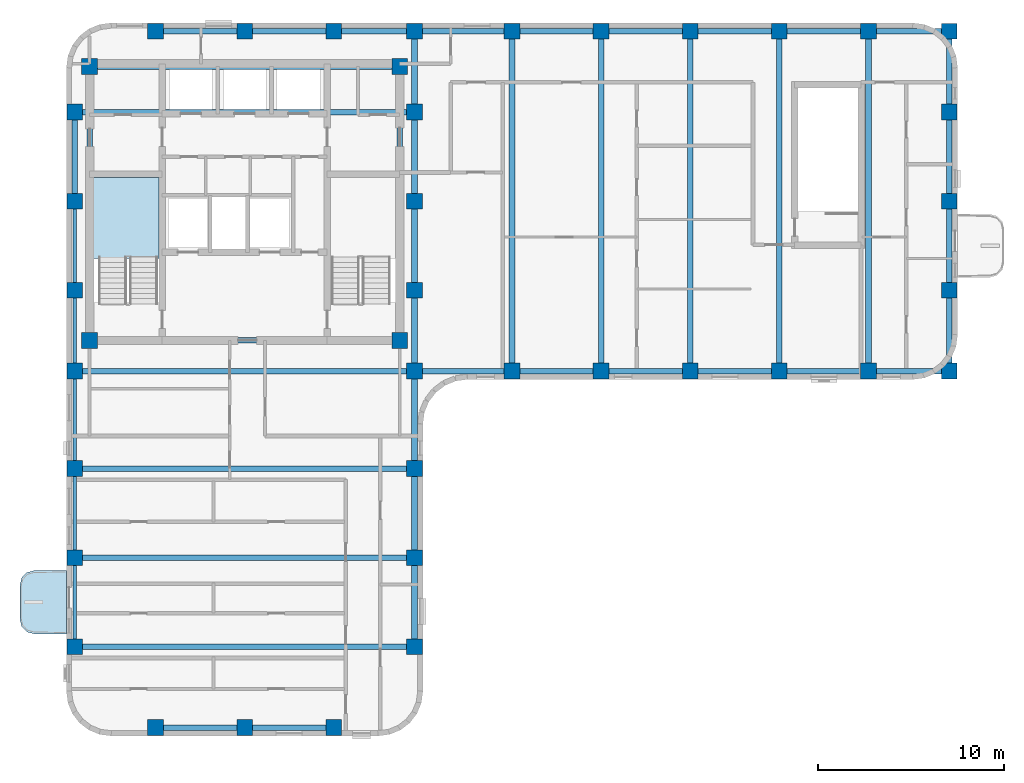
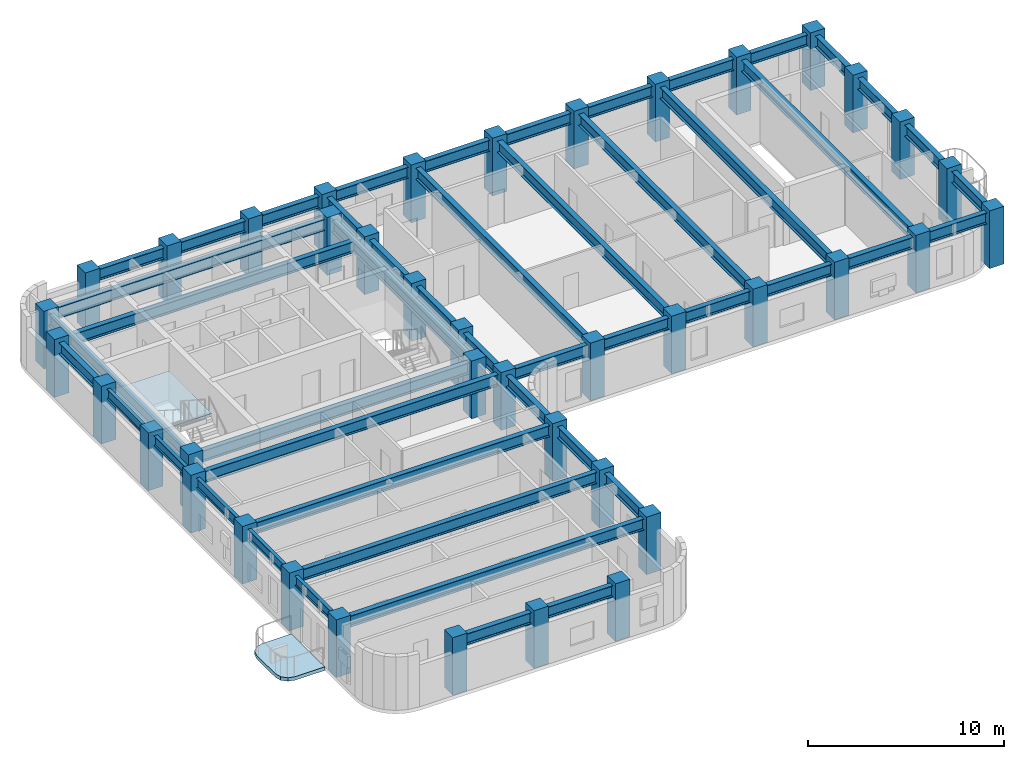
# One storey, part 1 of 8: 48 beams, 40 columns, 2 slabs, 1 element without a shape of its own.
"""IFC4 building model written with IfcOpenShell, lengths in metres."""

from ifc_helpers import new_model, si_unit, direction, frame, origin, origin_2d, place, context, subcontext, project, spatial, polyline, rectangle, i_section, outline, extrude, material, layer, layer_set, material_profile, profile_set, type_object, element, aggregate, save


model = new_model("IFC4")

# Units and contexts
model_context = context("Model", 3, precision=1e-05, world=origin(), true_north=direction((0.0, 1.0)))
body_context = subcontext(model_context, "Body", "Model", "MODEL_VIEW")
ifc_project = project(units=[si_unit("LENGTHUNIT", "METRE"), si_unit("AREAUNIT", "SQUARE_METRE"), si_unit("VOLUMEUNIT", "CUBIC_METRE"), si_unit("PLANEANGLEUNIT", "RADIAN"), si_unit("MASSUNIT", "GRAM", prefix="KILO")], contexts=[model_context])

# Site, building, storey
site_placement = place(None, origin())
site = spatial("IfcSite", under=ifc_project, at=site_placement, CompositionType="ELEMENT")
building_placement = place(site_placement, origin())
building = spatial("IfcBuilding", under=site, at=building_placement, Name="Orvandelia Arch Residences", CompositionType="ELEMENT")
storey_placement = place(building_placement, frame((0.0, 0.0, 236.199951171875)))
storey = spatial("IfcBuildingStorey", under=building, at=storey_placement, Name="L62", CompositionType="ELEMENT", Elevation=236.199951171875)

# Columns
ifc_material_1 = material(Name="Concrete C60/75", Category="concrete")
ifc_material_profile_1 = material_profile(ifc_material_1, rectangle(XDim=0.85009765625, YDim=0.85009765625, at=origin_2d()), Name="Concrete C60/75", Category="concrete")
ifc_profile_set_1 = profile_set([ifc_material_profile_1], Name="Concrete C60/75")
column_type = type_object("IfcColumnType", Name="COL-TWR-850", PredefinedType="COLUMN", material=ifc_profile_set_1)
for number, where, z_axis, x_axis, name in (
    (1, (5.25, 14.39990234375, 0.0), (0.0, 0.0, 1.0), (1.0, 0.0, 0.0), "Structural Column L62-W-W-144"),
    (2, (5.25, 19.199951171875, 0.0), (0.0, 0.0, 1.0), (1.0, 0.0, 0.0), "Structural Column L62-W-W-192"),
    (3, (5.25, 24.0, 0.0), (0.0, 0.0, 1.0), (1.0, 0.0, 0.0), "Structural Column L62-W-W-240"),
    (4, (5.25, 29.25, 0.0), (0.0, 0.0, 1.0), (1.0, 0.0, 0.0), "Structural Column L62-W-W-292"),
    (5, (5.25, 33.60009765625, 0.0), (0.0, 0.0, 1.0), (1.0, 0.0, 0.0), "Structural Column L62-W-W-336"),
    (6, (5.25, 38.39990234375, 0.0), (0.0, 0.0, 1.0), (1.0, 0.0, 0.0), "Structural Column L62-W-W-384"),
    (7, (5.25, 43.199951171875, 0.0), (0.0, 0.0, 1.0), (1.0, 0.0, 0.0), "Structural Column L62-W-W-432"),
    (8, (6.050048828125, 30.89990234375, 0.0), (0.0, 0.0, 1.0), (1.0, 0.0, 0.0), "Structural Column L62-CR-SW"),
    (9, (6.050048828125, 45.64990234375, 0.0), (0.0, 0.0, 1.0), (1.0, 0.0, 0.0), "Structural Column L62-CR-NW"),
    (10, (9.60009765625, 10.050048828125, 0.0), (0.0, 0.0, 1.0), (1.0, 0.0, 0.0), "Structural Column L62-W-S-96"),
    (11, (9.60009765625, 47.550048828125, 0.0), (0.0, 0.0, 1.0), (1.0, 0.0, 0.0), "Structural Column L62-W-N-96"),
    (12, (14.39990234375, 10.050048828125, 0.0), (0.0, 0.0, 1.0), (1.0, 0.0, 0.0), "Structural Column L62-W-S-144"),
    (13, (14.39990234375, 47.550048828125, 0.0), (0.0, 0.0, 1.0), (1.0, 0.0, 0.0), "Structural Column L62-W-N-144"),
    (14, (19.199951171875, 10.050048828125, 0.0), (0.0, 0.0, 1.0), (1.0, 0.0, 0.0), "Structural Column L62-W-S-192"),
    (15, (19.199951171875, 47.550048828125, 0.0), (0.0, 0.0, 1.0), (1.0, 0.0, 0.0), "Structural Column L62-W-N-192"),
    (16, (22.75, 30.89990234375, 0.0), (0.0, 0.0, 1.0), (1.0, 0.0, 0.0), "Structural Column L62-CR-SE"),
    (17, (22.75, 45.64990234375, 0.0), (0.0, 0.0, 1.0), (1.0, 0.0, 0.0), "Structural Column L62-CR-NE"),
    (18, (23.550048828125, 14.39990234375, 0.0), (0.0, 0.0, 1.0), (1.0, 0.0, 0.0), "Structural Column L62-W-E-144"),
    (19, (23.550048828125, 19.199951171875, 0.0), (0.0, 0.0, 1.0), (1.0, 0.0, 0.0), "Structural Column L62-W-E-192"),
    (20, (23.550048828125, 24.0, 0.0), (0.0, 0.0, 1.0), (1.0, 0.0, 0.0), "Structural Column L62-W-E-240"),
    (21, (23.550048828125, 29.25, 0.0), (0.0, 0.0, 1.0), (1.0, 0.0, 0.0), "Structural Column L62-W-E-292"),
    (22, (23.550048828125, 33.60009765625, 0.0), (0.0, 0.0, 1.0), (1.0, 0.0, 0.0), "Structural Column L62-W-E-336"),
    (23, (23.550048828125, 38.39990234375, 0.0), (0.0, 0.0, 1.0), (1.0, 0.0, 0.0), "Structural Column L62-W-E-384"),
    (24, (23.550048828125, 43.199951171875, 0.0), (0.0, 0.0, 1.0), (1.0, 0.0, 0.0), "Structural Column L62-W-E-432"),
    (25, (23.550048828125, 47.550048828125, 0.0), (0.0, 0.0, 1.0), (1.0, 0.0, 0.0), "Structural Column L62-W-N-235"),
    (26, (28.800048828125, 29.25, 0.0), (0.0, 0.0, 1.0), (1.0, 0.0, 0.0), "Structural Column L62-E-S-288"),
    (27, (28.800048828125, 47.550048828125, 0.0), (0.0, 0.0, 1.0), (1.0, 0.0, 0.0), "Structural Column L62-E-N-288"),
    (28, (33.60009765625, 29.25, 0.0), (0.0, 0.0, 1.0), (1.0, 0.0, 0.0), "Structural Column L62-E-S-336"),
    (29, (33.60009765625, 47.550048828125, 0.0), (0.0, 0.0, 1.0), (1.0, 0.0, 0.0), "Structural Column L62-E-N-336"),
    (30, (38.39990234375, 29.25, 0.0), (0.0, 0.0, 1.0), (1.0, 0.0, 0.0), "Structural Column L62-E-S-384"),
    (31, (38.39990234375, 47.550048828125, 0.0), (0.0, 0.0, 1.0), (1.0, 0.0, 0.0), "Structural Column L62-E-N-384"),
    (32, (43.199951171875, 29.25, 0.0), (0.0, 0.0, 1.0), (1.0, 0.0, 0.0), "Structural Column L62-E-S-432"),
    (33, (43.199951171875, 47.550048828125, 0.0), (0.0, 0.0, 1.0), (1.0, 0.0, 0.0), "Structural Column L62-E-N-432"),
    (34, (48.0, 29.25, 0.0), (0.0, 0.0, 1.0), (1.0, 0.0, 0.0), "Structural Column L62-E-S-480"),
    (35, (48.0, 47.550048828125, 0.0), (0.0, 0.0, 1.0), (1.0, 0.0, 0.0), "Structural Column L62-E-N-480"),
    (36, (52.35009765625, 29.25, 0.0), (0.0, 0.0, 1.0), (1.0, 0.0, 0.0), "Structural Column L62-E-S-523"),
    (37, (52.35009765625, 33.60009765625, 0.0), (0.0, 0.0, 1.0), (1.0, 0.0, 0.0), "Structural Column L62-E-523-336"),
    (38, (52.35009765625, 38.39990234375, 0.0), (0.0, 0.0, 1.0), (1.0, 0.0, 0.0), "Structural Column L62-E-523-384"),
    (39, (52.35009765625, 43.199951171875, 0.0), (0.0, 0.0, 1.0), (1.0, 0.0, 0.0), "Structural Column L62-E-523-432"),
    (40, (52.35009765625, 47.550048828125, 0.0), (0.0, 0.0, 1.0), (1.0, 0.0, 0.0), "Structural Column L62-E-N-523"),
):
    element("IfcColumn", number, at=place(storey_placement, frame(where, z_axis=z_axis, x_axis=x_axis)), inside=storey, type_object=column_type, Name=name, PredefinedType="COLUMN", context=body_context, shape_type="SweptSolid", body=[
        extrude(rectangle(XDim=0.85009765625, YDim=0.85009765625, at=origin_2d()), origin(), (0.0, 0.0, 1.0), 3.60009765625),
    ])

# Beams
ifc_material_2 = material(Name="Structural Steel SM355 (355 MPa)", Category="steel")
ifc_material_profile_2 = material_profile(ifc_material_2, i_section(OverallWidth=0.300048828125, OverallDepth=0.699951171875, WebThickness=0.012939453125, FlangeThickness=0.02392578125, FilletRadius=0.02392578125, at=origin_2d()), Name="Structural Steel SM355 (355 MPa)", Category="steel")
ifc_profile_set_2 = profile_set([ifc_material_profile_2], Name="Structural Steel SM355 (355 MPa)")
beam_type_1 = type_object("IfcBeamType", Name="BM-GRD-H700", PredefinedType="BEAM", material=ifc_profile_set_2)
beam_1_placement = place(storey_placement, frame((5.25, 38.39990234375, 2.969970703125), z_axis=(0.0, 1.0, 0.0), x_axis=(-1.0, 0.0, 0.0)))
element("IfcBeam", 41, at=beam_1_placement, inside=storey, type_object=beam_type_1, Name="Structural Frame Beam L62-NS-006", PredefinedType="BEAM", context=body_context, shape_type="SweptSolid", body=[
    extrude(i_section(OverallWidth=0.300048828125, OverallDepth=0.699951171875, WebThickness=0.012939453125, FlangeThickness=0.02392578125, FilletRadius=0.02392578125, at=origin_2d()), origin(), (0.0, 0.0, 1.0), 4.800048828125),
])
for number, where, z_axis, x_axis, name in (
    (42, (6.050048828125, 30.89990234375, 2.969970703125), (0.0, 1.0, 0.0), (-1.0, 0.0, 0.0), "Structural Frame Beam L62-NS-007"),
    (43, (22.75, 30.89990234375, 2.969970703125), (0.0, 1.0, 0.0), (-1.0, 0.0, 0.0), "Structural Frame Beam L62-NS-008"),
):
    element("IfcBeam", number, at=place(storey_placement, frame(where, z_axis=z_axis, x_axis=x_axis)), inside=storey, type_object=beam_type_1, Name=name, PredefinedType="BEAM", context=body_context, shape_type="SweptSolid", body=[
        extrude(i_section(OverallWidth=0.300048828125, OverallDepth=0.699951171875, WebThickness=0.012939453125, FlangeThickness=0.02392578125, FilletRadius=0.02392578125, at=origin_2d()), origin(), (0.0, 0.0, 1.0), 14.75),
    ])
for number, where, z_axis, x_axis, name in (
    (44, (23.550048828125, 14.39990234375, 2.969970703125), (0.0, 1.0, 0.0), (-1.0, 0.0, 0.0), "Structural Frame Beam L62-NS-009"),
    (45, (23.550048828125, 19.199951171875, 2.969970703125), (0.0, 1.0, 0.0), (-1.0, 0.0, 0.0), "Structural Frame Beam L62-NS-010"),
):
    element("IfcBeam", number, at=place(storey_placement, frame(where, z_axis=z_axis, x_axis=x_axis)), inside=storey, type_object=beam_type_1, Name=name, PredefinedType="BEAM", context=body_context, shape_type="SweptSolid", body=[
        extrude(i_section(OverallWidth=0.300048828125, OverallDepth=0.699951171875, WebThickness=0.012939453125, FlangeThickness=0.02392578125, FilletRadius=0.02392578125, at=origin_2d()), origin(), (0.0, 0.0, 1.0), 4.800048828125),
    ])
beam_2_placement = place(storey_placement, frame((23.550048828125, 24.0, 2.969970703125), z_axis=(0.0, 1.0, 0.0), x_axis=(-1.0, 0.0, 0.0)))
element("IfcBeam", 46, at=beam_2_placement, inside=storey, type_object=beam_type_1, Name="Structural Frame Beam L62-NS-011", PredefinedType="BEAM", context=body_context, shape_type="SweptSolid", body=[
    extrude(i_section(OverallWidth=0.300048828125, OverallDepth=0.699951171875, WebThickness=0.012939453125, FlangeThickness=0.02392578125, FilletRadius=0.02392578125, at=origin_2d()), origin(), (0.0, 0.0, 1.0), 5.25),
])
beam_3_placement = place(storey_placement, frame((23.550048828125, 29.25, 2.969970703125), z_axis=(0.0, 1.0, 0.0), x_axis=(-1.0, 0.0, 0.0)))
element("IfcBeam", 47, at=beam_3_placement, inside=storey, type_object=beam_type_1, Name="Structural Frame Beam L62-NS-012", PredefinedType="BEAM", context=body_context, shape_type="SweptSolid", body=[
    extrude(i_section(OverallWidth=0.300048828125, OverallDepth=0.699951171875, WebThickness=0.012939453125, FlangeThickness=0.02392578125, FilletRadius=0.02392578125, at=origin_2d()), origin(), (0.0, 0.0, 1.0), 4.35009765625),
])
beam_4_placement = place(storey_placement, frame((23.550048828125, 33.60009765625, 2.969970703125), z_axis=(0.0, 1.0, 0.0), x_axis=(-1.0, 0.0, 0.0)))
element("IfcBeam", 48, at=beam_4_placement, inside=storey, type_object=beam_type_1, Name="Structural Frame Beam L62-NS-013", PredefinedType="BEAM", context=body_context, shape_type="SweptSolid", body=[
    extrude(i_section(OverallWidth=0.300048828125, OverallDepth=0.699951171875, WebThickness=0.012939453125, FlangeThickness=0.02392578125, FilletRadius=0.02392578125, at=origin_2d()), origin(), (0.0, 0.0, 1.0), 4.7998046875),
])
beam_5_placement = place(storey_placement, frame((23.550048828125, 38.39990234375, 2.969970703125), z_axis=(0.0, 1.0, 0.0), x_axis=(-1.0, 0.0, 0.0)))
element("IfcBeam", 49, at=beam_5_placement, inside=storey, type_object=beam_type_1, Name="Structural Frame Beam L62-NS-014", PredefinedType="BEAM", context=body_context, shape_type="SweptSolid", body=[
    extrude(i_section(OverallWidth=0.300048828125, OverallDepth=0.699951171875, WebThickness=0.012939453125, FlangeThickness=0.02392578125, FilletRadius=0.02392578125, at=origin_2d()), origin(), (0.0, 0.0, 1.0), 4.800048828125),
])
beam_6_placement = place(storey_placement, frame((23.550048828125, 43.199951171875, 2.969970703125), z_axis=(0.0, 1.0, 0.0), x_axis=(-1.0, 0.0, 0.0)))
element("IfcBeam", 50, at=beam_6_placement, inside=storey, type_object=beam_type_1, Name="Structural Frame Beam L62-NS-015", PredefinedType="BEAM", context=body_context, shape_type="SweptSolid", body=[
    extrude(i_section(OverallWidth=0.300048828125, OverallDepth=0.699951171875, WebThickness=0.012939453125, FlangeThickness=0.02392578125, FilletRadius=0.02392578125, at=origin_2d()), origin(), (0.0, 0.0, 1.0), 4.35009765625),
])
for number, where, z_axis, x_axis, name in (
    (51, (28.800048828125, 29.25, 2.969970703125), (0.0, 1.0, 0.0), (-1.0, 0.0, 0.0), "Structural Frame Beam L62-NS-016"),
    (52, (33.60009765625, 29.25, 2.969970703125), (0.0, 1.0, 0.0), (-1.0, 0.0, 0.0), "Structural Frame Beam L62-NS-017"),
    (53, (38.39990234375, 29.25, 2.969970703125), (0.0, 1.0, 0.0), (-1.0, 0.0, 0.0), "Structural Frame Beam L62-NS-018"),
    (54, (43.199951171875, 29.25, 2.969970703125), (0.0, 1.0, 0.0), (-1.0, 0.0, 0.0), "Structural Frame Beam L62-NS-019"),
    (55, (48.0, 29.25, 2.969970703125), (0.0, 1.0, 0.0), (-1.0, 0.0, 0.0), "Structural Frame Beam L62-NS-020"),
):
    element("IfcBeam", number, at=place(storey_placement, frame(where, z_axis=z_axis, x_axis=x_axis)), inside=storey, type_object=beam_type_1, Name=name, PredefinedType="BEAM", context=body_context, shape_type="SweptSolid", body=[
        extrude(i_section(OverallWidth=0.300048828125, OverallDepth=0.699951171875, WebThickness=0.012939453125, FlangeThickness=0.02392578125, FilletRadius=0.02392578125, at=origin_2d()), origin(), (0.0, 0.0, 1.0), 18.300048828125),
    ])
beam_7_placement = place(storey_placement, frame((52.35009765625, 29.25, 2.969970703125), z_axis=(0.0, 1.0, 0.0), x_axis=(-1.0, 0.0, 0.0)))
element("IfcBeam", 56, at=beam_7_placement, inside=storey, type_object=beam_type_1, Name="Structural Frame Beam L62-NS-021", PredefinedType="BEAM", context=body_context, shape_type="SweptSolid", body=[
    extrude(i_section(OverallWidth=0.300048828125, OverallDepth=0.699951171875, WebThickness=0.012939453125, FlangeThickness=0.02392578125, FilletRadius=0.02392578125, at=origin_2d()), origin(), (0.0, 0.0, 1.0), 4.35009765625),
])
beam_8_placement = place(storey_placement, frame((52.35009765625, 33.60009765625, 2.969970703125), z_axis=(0.0, 1.0, 0.0), x_axis=(-1.0, 0.0, 0.0)))
element("IfcBeam", 57, at=beam_8_placement, inside=storey, type_object=beam_type_1, Name="Structural Frame Beam L62-NS-022", PredefinedType="BEAM", context=body_context, shape_type="SweptSolid", body=[
    extrude(i_section(OverallWidth=0.300048828125, OverallDepth=0.699951171875, WebThickness=0.012939453125, FlangeThickness=0.02392578125, FilletRadius=0.02392578125, at=origin_2d()), origin(), (0.0, 0.0, 1.0), 4.7998046875),
])
beam_9_placement = place(storey_placement, frame((52.35009765625, 38.39990234375, 2.969970703125), z_axis=(0.0, 1.0, 0.0), x_axis=(-1.0, 0.0, 0.0)))
element("IfcBeam", 58, at=beam_9_placement, inside=storey, type_object=beam_type_1, Name="Structural Frame Beam L62-NS-023", PredefinedType="BEAM", context=body_context, shape_type="SweptSolid", body=[
    extrude(i_section(OverallWidth=0.300048828125, OverallDepth=0.699951171875, WebThickness=0.012939453125, FlangeThickness=0.02392578125, FilletRadius=0.02392578125, at=origin_2d()), origin(), (0.0, 0.0, 1.0), 4.800048828125),
])
beam_10_placement = place(storey_placement, frame((52.35009765625, 43.199951171875, 2.969970703125), z_axis=(0.0, 1.0, 0.0), x_axis=(-1.0, 0.0, 0.0)))
element("IfcBeam", 59, at=beam_10_placement, inside=storey, type_object=beam_type_1, Name="Structural Frame Beam L62-NS-024", PredefinedType="BEAM", context=body_context, shape_type="SweptSolid", body=[
    extrude(i_section(OverallWidth=0.300048828125, OverallDepth=0.699951171875, WebThickness=0.012939453125, FlangeThickness=0.02392578125, FilletRadius=0.02392578125, at=origin_2d()), origin(), (0.0, 0.0, 1.0), 4.35009765625),
])
beam_11_placement = place(storey_placement, frame((9.60009765625, 10.050048828125, 2.969970703125), z_axis=(1.0, 0.0, 0.0), x_axis=(0.0, 1.0, 0.0)))
element("IfcBeam", 60, at=beam_11_placement, inside=storey, type_object=beam_type_1, Name="Structural Frame Girder L62-EW-025", PredefinedType="BEAM", context=body_context, shape_type="SweptSolid", body=[
    extrude(i_section(OverallWidth=0.300048828125, OverallDepth=0.699951171875, WebThickness=0.012939453125, FlangeThickness=0.02392578125, FilletRadius=0.02392578125, at=origin_2d()), origin(), (0.0, 0.0, 1.0), 4.7998046875),
])
beam_12_placement = place(storey_placement, frame((14.39990234375, 10.050048828125, 2.969970703125), z_axis=(1.0, 0.0, 0.0), x_axis=(0.0, 1.0, 0.0)))
element("IfcBeam", 61, at=beam_12_placement, inside=storey, type_object=beam_type_1, Name="Structural Frame Girder L62-EW-026", PredefinedType="BEAM", context=body_context, shape_type="SweptSolid", body=[
    extrude(i_section(OverallWidth=0.300048828125, OverallDepth=0.699951171875, WebThickness=0.012939453125, FlangeThickness=0.02392578125, FilletRadius=0.02392578125, at=origin_2d()), origin(), (0.0, 0.0, 1.0), 4.800048828125),
])
for number, where, z_axis, x_axis, name in (
    (62, (5.25, 14.39990234375, 2.969970703125), (1.0, 0.0, 0.0), (0.0, 1.0, 0.0), "Structural Frame Girder L62-EW-027"),
    (63, (5.25, 19.199951171875, 2.969970703125), (1.0, 0.0, 0.0), (0.0, 1.0, 0.0), "Structural Frame Girder L62-EW-028"),
    (64, (5.25, 24.0, 2.969970703125), (1.0, 0.0, 0.0), (0.0, 1.0, 0.0), "Structural Frame Girder L62-EW-029"),
    (65, (5.25, 29.25, 2.969970703125), (1.0, 0.0, 0.0), (0.0, 1.0, 0.0), "Structural Frame Girder L62-EW-030"),
):
    element("IfcBeam", number, at=place(storey_placement, frame(where, z_axis=z_axis, x_axis=x_axis)), inside=storey, type_object=beam_type_1, Name=name, PredefinedType="BEAM", context=body_context, shape_type="SweptSolid", body=[
        extrude(i_section(OverallWidth=0.300048828125, OverallDepth=0.699951171875, WebThickness=0.012939453125, FlangeThickness=0.02392578125, FilletRadius=0.02392578125, at=origin_2d()), origin(), (0.0, 0.0, 1.0), 18.300048828125),
    ])
beam_13_placement = place(storey_placement, frame((23.550048828125, 29.25, 2.969970703125), z_axis=(1.0, 0.0, 0.0), x_axis=(0.0, 1.0, 0.0)))
element("IfcBeam", 66, at=beam_13_placement, inside=storey, type_object=beam_type_1, Name="Structural Frame Girder L62-EW-031", PredefinedType="BEAM", context=body_context, shape_type="SweptSolid", body=[
    extrude(i_section(OverallWidth=0.300048828125, OverallDepth=0.699951171875, WebThickness=0.012939453125, FlangeThickness=0.02392578125, FilletRadius=0.02392578125, at=origin_2d()), origin(), (0.0, 0.0, 1.0), 5.25),
])
beam_14_placement = place(storey_placement, frame((28.800048828125, 29.25, 2.969970703125), z_axis=(1.0, 0.0, 0.0), x_axis=(0.0, 1.0, 0.0)))
element("IfcBeam", 67, at=beam_14_placement, inside=storey, type_object=beam_type_1, Name="Structural Frame Girder L62-EW-032", PredefinedType="BEAM", context=body_context, shape_type="SweptSolid", body=[
    extrude(i_section(OverallWidth=0.300048828125, OverallDepth=0.699951171875, WebThickness=0.012939453125, FlangeThickness=0.02392578125, FilletRadius=0.02392578125, at=origin_2d()), origin(), (0.0, 0.0, 1.0), 4.800048828125),
])
beam_15_placement = place(storey_placement, frame((33.60009765625, 29.25, 2.969970703125), z_axis=(1.0, 0.0, 0.0), x_axis=(0.0, 1.0, 0.0)))
element("IfcBeam", 68, at=beam_15_placement, inside=storey, type_object=beam_type_1, Name="Structural Frame Girder L62-EW-033", PredefinedType="BEAM", context=body_context, shape_type="SweptSolid", body=[
    extrude(i_section(OverallWidth=0.300048828125, OverallDepth=0.699951171875, WebThickness=0.012939453125, FlangeThickness=0.02392578125, FilletRadius=0.02392578125, at=origin_2d()), origin(), (0.0, 0.0, 1.0), 4.7998046875),
])
for number, where, z_axis, x_axis, name in (
    (69, (38.39990234375, 29.25, 2.969970703125), (1.0, 0.0, 0.0), (0.0, 1.0, 0.0), "Structural Frame Girder L62-EW-034"),
    (70, (43.199951171875, 29.25, 2.969970703125), (1.0, 0.0, 0.0), (0.0, 1.0, 0.0), "Structural Frame Girder L62-EW-035"),
):
    element("IfcBeam", number, at=place(storey_placement, frame(where, z_axis=z_axis, x_axis=x_axis)), inside=storey, type_object=beam_type_1, Name=name, PredefinedType="BEAM", context=body_context, shape_type="SweptSolid", body=[
        extrude(i_section(OverallWidth=0.300048828125, OverallDepth=0.699951171875, WebThickness=0.012939453125, FlangeThickness=0.02392578125, FilletRadius=0.02392578125, at=origin_2d()), origin(), (0.0, 0.0, 1.0), 4.800048828125),
    ])
beam_16_placement = place(storey_placement, frame((48.0, 29.25, 2.969970703125), z_axis=(1.0, 0.0, 0.0), x_axis=(0.0, 1.0, 0.0)))
element("IfcBeam", 71, at=beam_16_placement, inside=storey, type_object=beam_type_1, Name="Structural Frame Girder L62-EW-036", PredefinedType="BEAM", context=body_context, shape_type="SweptSolid", body=[
    extrude(i_section(OverallWidth=0.300048828125, OverallDepth=0.699951171875, WebThickness=0.012939453125, FlangeThickness=0.02392578125, FilletRadius=0.02392578125, at=origin_2d()), origin(), (0.0, 0.0, 1.0), 4.35009765625),
])
beam_17_placement = place(storey_placement, frame((6.050048828125, 30.89990234375, 2.969970703125), z_axis=(1.0, 0.0, 0.0), x_axis=(0.0, 1.0, 0.0)))
element("IfcBeam", 72, at=beam_17_placement, inside=storey, type_object=beam_type_1, Name="Structural Frame Girder L62-EW-037", PredefinedType="BEAM", context=body_context, shape_type="SweptSolid", body=[
    extrude(i_section(OverallWidth=0.300048828125, OverallDepth=0.699951171875, WebThickness=0.012939453125, FlangeThickness=0.02392578125, FilletRadius=0.02392578125, at=origin_2d()), origin(), (0.0, 0.0, 1.0), 16.699951171875),
])
beam_18_placement = place(storey_placement, frame((5.25, 43.199951171875, 2.969970703125), z_axis=(1.0, 0.0, 0.0), x_axis=(0.0, 1.0, 0.0)))
element("IfcBeam", 73, at=beam_18_placement, inside=storey, type_object=beam_type_1, Name="Structural Frame Girder L62-EW-040", PredefinedType="BEAM", context=body_context, shape_type="SweptSolid", body=[
    extrude(i_section(OverallWidth=0.300048828125, OverallDepth=0.699951171875, WebThickness=0.012939453125, FlangeThickness=0.02392578125, FilletRadius=0.02392578125, at=origin_2d()), origin(), (0.0, 0.0, 1.0), 18.300048828125),
])
beam_19_placement = place(storey_placement, frame((6.050048828125, 45.64990234375, 2.969970703125), z_axis=(1.0, 0.0, 0.0), x_axis=(0.0, 1.0, 0.0)))
element("IfcBeam", 74, at=beam_19_placement, inside=storey, type_object=beam_type_1, Name="Structural Frame Girder L62-EW-041", PredefinedType="BEAM", context=body_context, shape_type="SweptSolid", body=[
    extrude(i_section(OverallWidth=0.300048828125, OverallDepth=0.699951171875, WebThickness=0.012939453125, FlangeThickness=0.02392578125, FilletRadius=0.02392578125, at=origin_2d()), origin(), (0.0, 0.0, 1.0), 16.699951171875),
])
beam_20_placement = place(storey_placement, frame((9.60009765625, 47.550048828125, 2.969970703125), z_axis=(1.0, 0.0, 0.0), x_axis=(0.0, 1.0, 0.0)))
element("IfcBeam", 75, at=beam_20_placement, inside=storey, type_object=beam_type_1, Name="Structural Frame Girder L62-EW-042", PredefinedType="BEAM", context=body_context, shape_type="SweptSolid", body=[
    extrude(i_section(OverallWidth=0.300048828125, OverallDepth=0.699951171875, WebThickness=0.012939453125, FlangeThickness=0.02392578125, FilletRadius=0.02392578125, at=origin_2d()), origin(), (0.0, 0.0, 1.0), 4.7998046875),
])
beam_21_placement = place(storey_placement, frame((14.39990234375, 47.550048828125, 2.969970703125), z_axis=(1.0, 0.0, 0.0), x_axis=(0.0, 1.0, 0.0)))
element("IfcBeam", 76, at=beam_21_placement, inside=storey, type_object=beam_type_1, Name="Structural Frame Girder L62-EW-043", PredefinedType="BEAM", context=body_context, shape_type="SweptSolid", body=[
    extrude(i_section(OverallWidth=0.300048828125, OverallDepth=0.699951171875, WebThickness=0.012939453125, FlangeThickness=0.02392578125, FilletRadius=0.02392578125, at=origin_2d()), origin(), (0.0, 0.0, 1.0), 4.800048828125),
])
beam_22_placement = place(storey_placement, frame((19.199951171875, 47.550048828125, 2.969970703125), z_axis=(1.0, 0.0, 0.0), x_axis=(0.0, 1.0, 0.0)))
element("IfcBeam", 77, at=beam_22_placement, inside=storey, type_object=beam_type_1, Name="Structural Frame Girder L62-EW-044", PredefinedType="BEAM", context=body_context, shape_type="SweptSolid", body=[
    extrude(i_section(OverallWidth=0.300048828125, OverallDepth=0.699951171875, WebThickness=0.012939453125, FlangeThickness=0.02392578125, FilletRadius=0.02392578125, at=origin_2d()), origin(), (0.0, 0.0, 1.0), 4.35009765625),
])
beam_23_placement = place(storey_placement, frame((23.550048828125, 47.550048828125, 2.969970703125), z_axis=(1.0, 0.0, 0.0), x_axis=(0.0, 1.0, 0.0)))
element("IfcBeam", 78, at=beam_23_placement, inside=storey, type_object=beam_type_1, Name="Structural Frame Girder L62-EW-045", PredefinedType="BEAM", context=body_context, shape_type="SweptSolid", body=[
    extrude(i_section(OverallWidth=0.300048828125, OverallDepth=0.699951171875, WebThickness=0.012939453125, FlangeThickness=0.02392578125, FilletRadius=0.02392578125, at=origin_2d()), origin(), (0.0, 0.0, 1.0), 5.25),
])
beam_24_placement = place(storey_placement, frame((28.800048828125, 47.550048828125, 2.969970703125), z_axis=(1.0, 0.0, 0.0), x_axis=(0.0, 1.0, 0.0)))
element("IfcBeam", 79, at=beam_24_placement, inside=storey, type_object=beam_type_1, Name="Structural Frame Girder L62-EW-046", PredefinedType="BEAM", context=body_context, shape_type="SweptSolid", body=[
    extrude(i_section(OverallWidth=0.300048828125, OverallDepth=0.699951171875, WebThickness=0.012939453125, FlangeThickness=0.02392578125, FilletRadius=0.02392578125, at=origin_2d()), origin(), (0.0, 0.0, 1.0), 4.800048828125),
])
beam_25_placement = place(storey_placement, frame((33.60009765625, 47.550048828125, 2.969970703125), z_axis=(1.0, 0.0, 0.0), x_axis=(0.0, 1.0, 0.0)))
element("IfcBeam", 80, at=beam_25_placement, inside=storey, type_object=beam_type_1, Name="Structural Frame Girder L62-EW-047", PredefinedType="BEAM", context=body_context, shape_type="SweptSolid", body=[
    extrude(i_section(OverallWidth=0.300048828125, OverallDepth=0.699951171875, WebThickness=0.012939453125, FlangeThickness=0.02392578125, FilletRadius=0.02392578125, at=origin_2d()), origin(), (0.0, 0.0, 1.0), 4.7998046875),
])
for number, where, z_axis, x_axis, name in (
    (81, (38.39990234375, 47.550048828125, 2.969970703125), (1.0, 0.0, 0.0), (0.0, 1.0, 0.0), "Structural Frame Girder L62-EW-048"),
    (82, (43.199951171875, 47.550048828125, 2.969970703125), (1.0, 0.0, 0.0), (0.0, 1.0, 0.0), "Structural Frame Girder L62-EW-049"),
):
    element("IfcBeam", number, at=place(storey_placement, frame(where, z_axis=z_axis, x_axis=x_axis)), inside=storey, type_object=beam_type_1, Name=name, PredefinedType="BEAM", context=body_context, shape_type="SweptSolid", body=[
        extrude(i_section(OverallWidth=0.300048828125, OverallDepth=0.699951171875, WebThickness=0.012939453125, FlangeThickness=0.02392578125, FilletRadius=0.02392578125, at=origin_2d()), origin(), (0.0, 0.0, 1.0), 4.800048828125),
    ])
beam_26_placement = place(storey_placement, frame((48.0, 47.550048828125, 2.969970703125), z_axis=(1.0, 0.0, 0.0), x_axis=(0.0, 1.0, 0.0)))
element("IfcBeam", 83, at=beam_26_placement, inside=storey, type_object=beam_type_1, Name="Structural Frame Girder L62-EW-050", PredefinedType="BEAM", context=body_context, shape_type="SweptSolid", body=[
    extrude(i_section(OverallWidth=0.300048828125, OverallDepth=0.699951171875, WebThickness=0.012939453125, FlangeThickness=0.02392578125, FilletRadius=0.02392578125, at=origin_2d()), origin(), (0.0, 0.0, 1.0), 4.35009765625),
])
ifc_material_profile_3 = material_profile(ifc_material_2, i_section(OverallWidth=0.199951171875, OverallDepth=0.60009765625, WebThickness=0.010986328125, FlangeThickness=0.01708984375, FilletRadius=0.02197265625, at=origin_2d()), Name="Structural Steel SM355 (355 MPa)", Category="steel")
ifc_profile_set_3 = profile_set([ifc_material_profile_3], Name="Structural Steel SM355 (355 MPa)")
beam_type_2 = type_object("IfcBeamType", Name="BM-SPN-H600", PredefinedType="SPANDREL", material=ifc_profile_set_3)
for number, where, z_axis, x_axis, name in (
    (84, (5.25, 14.39990234375, 3.02001953125), (0.0, 1.0, 0.0), (-1.0, 0.0, 0.0), "Structural Frame Beam L62-NS-001"),
    (85, (5.25, 19.199951171875, 3.02001953125), (0.0, 1.0, 0.0), (-1.0, 0.0, 0.0), "Structural Frame Beam L62-NS-002"),
):
    element("IfcBeam", number, at=place(storey_placement, frame(where, z_axis=z_axis, x_axis=x_axis)), inside=storey, type_object=beam_type_2, Name=name, PredefinedType="SPANDREL", context=body_context, shape_type="SweptSolid", body=[
        extrude(i_section(OverallWidth=0.199951171875, OverallDepth=0.60009765625, WebThickness=0.010986328125, FlangeThickness=0.01708984375, FilletRadius=0.02197265625, at=origin_2d()), origin(), (0.0, 0.0, 1.0), 4.800048828125),
    ])
beam_27_placement = place(storey_placement, frame((5.25, 24.0, 3.02001953125), z_axis=(0.0, 1.0, 0.0), x_axis=(-1.0, 0.0, 0.0)))
element("IfcBeam", 86, at=beam_27_placement, inside=storey, type_object=beam_type_2, Name="Structural Frame Beam L62-NS-003", PredefinedType="SPANDREL", context=body_context, shape_type="SweptSolid", body=[
    extrude(i_section(OverallWidth=0.199951171875, OverallDepth=0.60009765625, WebThickness=0.010986328125, FlangeThickness=0.01708984375, FilletRadius=0.02197265625, at=origin_2d()), origin(), (0.0, 0.0, 1.0), 5.25),
])
beam_28_placement = place(storey_placement, frame((5.25, 29.25, 3.02001953125), z_axis=(0.0, 1.0, 0.0), x_axis=(-1.0, 0.0, 0.0)))
element("IfcBeam", 87, at=beam_28_placement, inside=storey, type_object=beam_type_2, Name="Structural Frame Beam L62-NS-004", PredefinedType="SPANDREL", context=body_context, shape_type="SweptSolid", body=[
    extrude(i_section(OverallWidth=0.199951171875, OverallDepth=0.60009765625, WebThickness=0.010986328125, FlangeThickness=0.01708984375, FilletRadius=0.02197265625, at=origin_2d()), origin(), (0.0, 0.0, 1.0), 4.35009765625),
])
beam_29_placement = place(storey_placement, frame((5.25, 33.60009765625, 3.02001953125), z_axis=(0.0, 1.0, 0.0), x_axis=(-1.0, 0.0, 0.0)))
element("IfcBeam", 88, at=beam_29_placement, inside=storey, type_object=beam_type_2, Name="Structural Frame Beam L62-NS-005", PredefinedType="SPANDREL", context=body_context, shape_type="SweptSolid", body=[
    extrude(i_section(OverallWidth=0.199951171875, OverallDepth=0.60009765625, WebThickness=0.010986328125, FlangeThickness=0.01708984375, FilletRadius=0.02197265625, at=origin_2d()), origin(), (0.0, 0.0, 1.0), 4.7998046875),
])

# Slab
ifc_material_3 = material(Name="Precast concrete C40/50", Category="concrete")
ifc_layer_1 = layer(ifc_material_3, 0.219970703125, Name="Precast concrete C40/50", Category="concrete")
ifc_layer_set_1 = layer_set([ifc_layer_1], Name="Precast concrete C40/50")
slab_type_1 = type_object("IfcSlabType", Name="SLB-BAL-220", PredefinedType="USERDEFINED", material=ifc_layer_set_1)
slab_1_placement = place(storey_placement, frame((0.0, 0.0, -0.219970703125)))
element("IfcSlab", 89, at=slab_1_placement, inside=storey, type_object=slab_type_1, Name="Tree Balcony Cantilever Slab BAL-L62-W1", ObjectType="BALCONY", PredefinedType="USERDEFINED", context=body_context, shape_type="SweptSolid", body=[
    extrude(outline(polyline([(4.800048828125, 15.10009765625), (4.800048828125, 18.5), (3.050048828125, 18.5), (2.675048828125, 18.3994140625), (2.400390625, 18.125), (2.300048828125, 17.75), (2.300048828125, 15.85009765625), (2.400390625, 15.47509765625), (2.675048828125, 15.200439453125), (3.050048828125, 15.10009765625), (4.800048828125, 15.10009765625)])), origin(), (0.0, 0.0, 1.0), 0.219970703125),
])

# Stair, slab
ifc_material_4 = material(Name="Concrete C40/50", Category="concrete")
stair_type = type_object("IfcStairType", Name="STAIR-RC-DOGLEG", PredefinedType="HALF_TURN_STAIR", material=ifc_material_4)
stair_placement = place(storey_placement, origin())
stair = element("IfcStair", 90, at=stair_placement, inside=storey, type_object=stair_type, Name="L62 Protected Exit Stair ST-1", PredefinedType="HALF_TURN_STAIR")
ifc_layer_2 = layer(ifc_material_4, 0.219970703125, Name="Concrete C40/50", Category="concrete")
ifc_layer_set_2 = layer_set([ifc_layer_2], Name="Concrete C40/50")
slab_type_2 = type_object("IfcSlabType", Name="SLB-LANDING-220", PredefinedType="LANDING", material=ifc_layer_set_2)
slab_2_placement = place(storey_placement, frame((0.0, 0.0, 1.60009765625)))
slab_2 = element("IfcSlab", 91, at=slab_2_placement, type_object=slab_type_2, Name="ST-1 landing 1", PredefinedType="LANDING", context=body_context, shape_type="SweptSolid", body=[
    extrude(outline(polyline([(9.800048828125, 35.31005859375), (9.800048828125, 39.68994140625), (6.260009765625, 39.68994140625), (6.260009765625, 35.31005859375), (9.800048828125, 35.31005859375)])), origin(), (0.0, 0.0, 1.0), 0.199951171875),
])
aggregate(stair, [slab_2])

save(model, "model.ifc")
